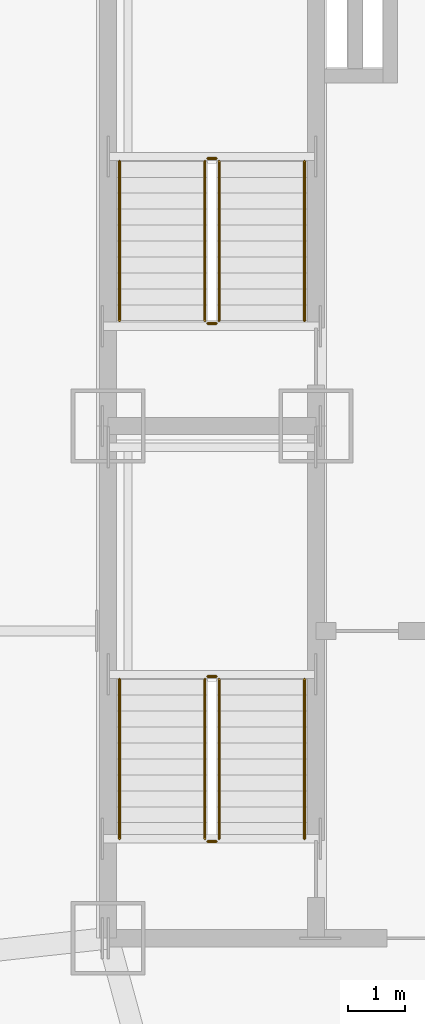
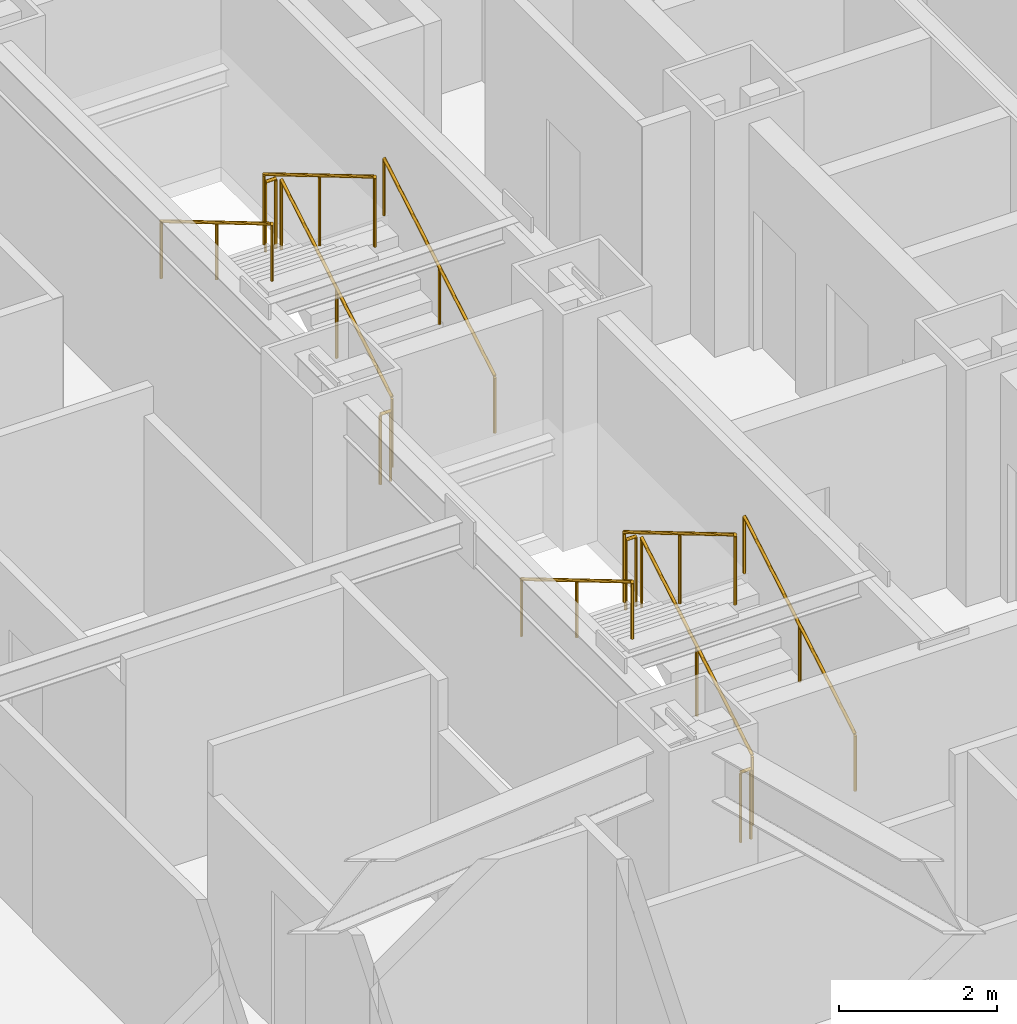
# One storey, part 13 of 13: 12 railings.
"""IFC4 building model written with IfcOpenShell, lengths in metres."""

from ifc_helpers import new_model, si_unit, direction, frame, origin, origin_2d, place, context, subcontext, project, spatial, circle, extrude, material, type_object, element, save


model = new_model("IFC4")

# Units and contexts
model_context = context("Model", 3, precision=1e-05, world=origin(), true_north=direction((0.0, 1.0)))
body_context = subcontext(model_context, "Body", "Model", "MODEL_VIEW")
ifc_project = project(units=[si_unit("LENGTHUNIT", "METRE"), si_unit("AREAUNIT", "SQUARE_METRE"), si_unit("VOLUMEUNIT", "CUBIC_METRE"), si_unit("PLANEANGLEUNIT", "RADIAN"), si_unit("MASSUNIT", "GRAM", prefix="KILO")], contexts=[model_context])

# Site, building, storey
site_placement = place(None, origin())
site = spatial("IfcSite", under=ifc_project, at=site_placement, CompositionType="ELEMENT")
building_placement = place(site_placement, origin())
building = spatial("IfcBuilding", under=site, at=building_placement, Name="Khamvora Tower", CompositionType="ELEMENT")
storey_placement = place(building_placement, frame((0.0, 0.0, 62.5)))
storey = spatial("IfcBuildingStorey", under=building, at=storey_placement, Name="L15", CompositionType="ELEMENT", Elevation=62.5)

# Railings
ifc_material_1 = material(Name="Brushed Stainless Steel 316", Category="steel")
railing_type_1 = type_object("IfcRailingType", Name="RAL-HDR-920", PredefinedType="HANDRAIL", material=ifc_material_1)
railing_1_placement = place(storey_placement, frame((32.449951171875, 20.75, 0.166015625)))
element("IfcRailing", 1, at=railing_1_placement, inside=storey, type_object=railing_type_1, Name="L15 ST-01 stair handrail 1", PredefinedType="HANDRAIL", context=body_context, shape_type="SweptSolid", body=[
    extrude(circle(Radius=0.02392578125, at=origin_2d()), frame((0.0, 0.0, 0.8759765625), z_axis=(0.0, 0.860339051648, 0.50972219513), x_axis=(-1.0, 0.0, 0.0)), (0.0, 0.0, 1.0), 3.254638671875),
    extrude(circle(Radius=0.02099609375, at=origin_2d()), origin(), (0.0, 0.0, 1.0), 0.851806640625),
    extrude(circle(Radius=0.02099609375, at=origin_2d()), frame((0.0, 1.39990234375, 0.82958984375)), (0.0, 0.0, 1.0), 0.851806640625),
    extrude(circle(Radius=0.02099609375, at=origin_2d()), frame((0.0, 2.800048828125, 1.658935546875)), (0.0, 0.0, 1.0), 0.851806640625),
])
railing_2_placement = place(storey_placement, frame((29.199951171875, 23.550048828125, 1.990966796875)))
element("IfcRailing", 2, at=railing_2_placement, inside=storey, type_object=railing_type_1, Name="L15 ST-01 stair handrail 2", PredefinedType="HANDRAIL", context=body_context, shape_type="SweptSolid", body=[
    extrude(circle(Radius=0.02392578125, at=origin_2d()), frame((0.0, 0.0, 0.8759765625), z_axis=(0.0, -0.860339051648, 0.50972219513), x_axis=(1.0, 0.0, 0.0)), (0.0, 0.0, 1.0), 3.254638671875),
    extrude(circle(Radius=0.02099609375, at=origin_2d()), origin(), (0.0, 0.0, 1.0), 0.851806640625),
    extrude(circle(Radius=0.02099609375, at=origin_2d()), frame((0.0, -1.39990234375, 0.82958984375)), (0.0, 0.0, 1.0), 0.851806640625),
    extrude(circle(Radius=0.02099609375, at=origin_2d()), frame((0.0, -2.800048828125, 1.658935546875)), (0.0, 0.0, 1.0), 0.851806640625),
])
railing_3_placement = place(storey_placement, frame((32.449951171875, 29.85009765625, 0.166015625)))
element("IfcRailing", 3, at=railing_3_placement, inside=storey, type_object=railing_type_1, Name="L15 ST-02 stair handrail 1", PredefinedType="HANDRAIL", context=body_context, shape_type="SweptSolid", body=[
    extrude(circle(Radius=0.02392578125, at=origin_2d()), frame((0.0, 0.0, 0.8759765625), z_axis=(0.0, 0.860319559791, 0.509755093197), x_axis=(-1.0, 0.0, 0.0)), (0.0, 0.0, 1.0), 3.25439453125),
    extrude(circle(Radius=0.02099609375, at=origin_2d()), origin(), (0.0, 0.0, 1.0), 0.851806640625),
    extrude(circle(Radius=0.02099609375, at=origin_2d()), frame((0.0, 1.39990234375, 0.82958984375)), (0.0, 0.0, 1.0), 0.851806640625),
    extrude(circle(Radius=0.02099609375, at=origin_2d()), frame((0.0, 2.7998046875, 1.658935546875)), (0.0, 0.0, 1.0), 0.851806640625),
])
railing_4_placement = place(storey_placement, frame((29.199951171875, 32.64990234375, 1.990966796875)))
element("IfcRailing", 4, at=railing_4_placement, inside=storey, type_object=railing_type_1, Name="L15 ST-02 stair handrail 2", PredefinedType="HANDRAIL", context=body_context, shape_type="SweptSolid", body=[
    extrude(circle(Radius=0.02392578125, at=origin_2d()), frame((0.0, 0.0, 0.8759765625), z_axis=(0.0, -0.860319559791, 0.509755093197), x_axis=(1.0, 0.0, 0.0)), (0.0, 0.0, 1.0), 3.25439453125),
    extrude(circle(Radius=0.02099609375, at=origin_2d()), origin(), (0.0, 0.0, 1.0), 0.851806640625),
    extrude(circle(Radius=0.02099609375, at=origin_2d()), frame((0.0, -1.39990234375, 0.82958984375)), (0.0, 0.0, 1.0), 0.851806640625),
    extrude(circle(Radius=0.02099609375, at=origin_2d()), frame((0.0, -2.7998046875, 1.658935546875)), (0.0, 0.0, 1.0), 0.851806640625),
])
ifc_material_2 = material(Name="Stainless Steel 316", Category="steel")
railing_type_2 = type_object("IfcRailingType", Name="RAL-STG-1100", PredefinedType="GUARDRAIL", material=ifc_material_2)
railing_5_placement = place(storey_placement, frame((30.949951171875, 20.75, 0.166015625)))
element("IfcRailing", 5, at=railing_5_placement, inside=storey, type_object=railing_type_2, Name="L15 ST-01 stair guard 1", PredefinedType="GUARDRAIL", context=body_context, shape_type="SweptSolid", body=[
    extrude(circle(Radius=0.02392578125, at=origin_2d()), frame((0.0, 0.0, 1.076171875), z_axis=(0.0, 0.860339051648, 0.50972219513), x_axis=(-1.0, 0.0, 0.0)), (0.0, 0.0, 1.0), 3.254638671875),
    extrude(circle(Radius=0.02099609375, at=origin_2d()), origin(), (0.0, 0.0, 1.0), 1.052001953125),
    extrude(circle(Radius=0.02099609375, at=origin_2d()), frame((0.0, 1.39990234375, 0.82958984375)), (0.0, 0.0, 1.0), 1.052001953125),
    extrude(circle(Radius=0.02099609375, at=origin_2d()), frame((0.0, 2.800048828125, 1.658935546875)), (0.0, 0.0, 1.0), 1.052001953125),
])
railing_6_placement = place(storey_placement, frame((30.89990234375, 23.60009765625, 1.824951171875)))
element("IfcRailing", 6, at=railing_6_placement, inside=storey, type_object=railing_type_2, Name="L15 ST-01 stair guard 2", PredefinedType="GUARDRAIL", context=body_context, shape_type="SweptSolid", body=[
    extrude(circle(Radius=0.02392578125, at=origin_2d()), frame((0.0, 0.0, 1.076171875), z_axis=(-1.0, 0.0, 0.0), x_axis=(0.0, -1.0, 0.0)), (0.0, 0.0, 1.0), 0.14990234375),
    extrude(circle(Radius=0.02099609375, at=origin_2d()), origin(), (0.0, 0.0, 1.0), 1.052001953125),
    extrude(circle(Radius=0.02099609375, at=origin_2d()), frame((-0.14990234375, 0.0, 0.0)), (0.0, 0.0, 1.0), 1.052001953125),
])
railing_7_placement = place(storey_placement, frame((30.699951171875, 23.550048828125, 1.990966796875)))
element("IfcRailing", 7, at=railing_7_placement, inside=storey, type_object=railing_type_2, Name="L15 ST-01 stair guard 3", PredefinedType="GUARDRAIL", context=body_context, shape_type="SweptSolid", body=[
    extrude(circle(Radius=0.02392578125, at=origin_2d()), frame((0.0, 0.0, 1.076171875), z_axis=(0.0, -0.860339051648, 0.50972219513), x_axis=(1.0, 0.0, 0.0)), (0.0, 0.0, 1.0), 3.254638671875),
    extrude(circle(Radius=0.02099609375, at=origin_2d()), origin(), (0.0, 0.0, 1.0), 1.052001953125),
    extrude(circle(Radius=0.02099609375, at=origin_2d()), frame((0.0, -1.39990234375, 0.82958984375)), (0.0, 0.0, 1.0), 1.052001953125),
    extrude(circle(Radius=0.02099609375, at=origin_2d()), frame((0.0, -2.800048828125, 1.658935546875)), (0.0, 0.0, 1.0), 1.052001953125),
])
railing_8_placement = place(storey_placement, frame((30.89990234375, 20.699951171875, 0.0)))
element("IfcRailing", 8, at=railing_8_placement, inside=storey, type_object=railing_type_2, Name="L15 ST-01 stair guard 4", PredefinedType="GUARDRAIL", context=body_context, shape_type="SweptSolid", body=[
    extrude(circle(Radius=0.02392578125, at=origin_2d()), frame((0.0, 0.0, 1.076171875), z_axis=(-1.0, 0.0, 0.0), x_axis=(0.0, -1.0, 0.0)), (0.0, 0.0, 1.0), 0.14990234375),
    extrude(circle(Radius=0.02099609375, at=origin_2d()), origin(), (0.0, 0.0, 1.0), 1.052001953125),
    extrude(circle(Radius=0.02099609375, at=origin_2d()), frame((-0.14990234375, 0.0, 0.0)), (0.0, 0.0, 1.0), 1.052001953125),
])
railing_9_placement = place(storey_placement, frame((30.949951171875, 29.85009765625, 0.166015625)))
element("IfcRailing", 9, at=railing_9_placement, inside=storey, type_object=railing_type_2, Name="L15 ST-02 stair guard 1", PredefinedType="GUARDRAIL", context=body_context, shape_type="SweptSolid", body=[
    extrude(circle(Radius=0.02392578125, at=origin_2d()), frame((0.0, 0.0, 1.076171875), z_axis=(0.0, 0.860319559791, 0.509755093197), x_axis=(-1.0, 0.0, 0.0)), (0.0, 0.0, 1.0), 3.25439453125),
    extrude(circle(Radius=0.02099609375, at=origin_2d()), origin(), (0.0, 0.0, 1.0), 1.052001953125),
    extrude(circle(Radius=0.02099609375, at=origin_2d()), frame((0.0, 1.39990234375, 0.82958984375)), (0.0, 0.0, 1.0), 1.052001953125),
    extrude(circle(Radius=0.02099609375, at=origin_2d()), frame((0.0, 2.7998046875, 1.658935546875)), (0.0, 0.0, 1.0), 1.052001953125),
])
railing_10_placement = place(storey_placement, frame((30.89990234375, 32.699951171875, 1.824951171875)))
element("IfcRailing", 10, at=railing_10_placement, inside=storey, type_object=railing_type_2, Name="L15 ST-02 stair guard 2", PredefinedType="GUARDRAIL", context=body_context, shape_type="SweptSolid", body=[
    extrude(circle(Radius=0.02392578125, at=origin_2d()), frame((0.0, 0.0, 1.076171875), z_axis=(-1.0, 0.0, 0.0), x_axis=(0.0, -1.0, 0.0)), (0.0, 0.0, 1.0), 0.14990234375),
    extrude(circle(Radius=0.02099609375, at=origin_2d()), origin(), (0.0, 0.0, 1.0), 1.052001953125),
    extrude(circle(Radius=0.02099609375, at=origin_2d()), frame((-0.14990234375, 0.0, 0.0)), (0.0, 0.0, 1.0), 1.052001953125),
])
railing_11_placement = place(storey_placement, frame((30.699951171875, 32.64990234375, 1.990966796875)))
element("IfcRailing", 11, at=railing_11_placement, inside=storey, type_object=railing_type_2, Name="L15 ST-02 stair guard 3", PredefinedType="GUARDRAIL", context=body_context, shape_type="SweptSolid", body=[
    extrude(circle(Radius=0.02392578125, at=origin_2d()), frame((0.0, 0.0, 1.076171875), z_axis=(0.0, -0.860319559791, 0.509755093197), x_axis=(1.0, 0.0, 0.0)), (0.0, 0.0, 1.0), 3.25439453125),
    extrude(circle(Radius=0.02099609375, at=origin_2d()), origin(), (0.0, 0.0, 1.0), 1.052001953125),
    extrude(circle(Radius=0.02099609375, at=origin_2d()), frame((0.0, -1.39990234375, 0.82958984375)), (0.0, 0.0, 1.0), 1.052001953125),
    extrude(circle(Radius=0.02099609375, at=origin_2d()), frame((0.0, -2.7998046875, 1.658935546875)), (0.0, 0.0, 1.0), 1.052001953125),
])
railing_12_placement = place(storey_placement, frame((30.89990234375, 29.800048828125, 0.0)))
element("IfcRailing", 12, at=railing_12_placement, inside=storey, type_object=railing_type_2, Name="L15 ST-02 stair guard 4", PredefinedType="GUARDRAIL", context=body_context, shape_type="SweptSolid", body=[
    extrude(circle(Radius=0.02392578125, at=origin_2d()), frame((0.0, 0.0, 1.076171875), z_axis=(-1.0, 0.0, 0.0), x_axis=(0.0, -1.0, 0.0)), (0.0, 0.0, 1.0), 0.14990234375),
    extrude(circle(Radius=0.02099609375, at=origin_2d()), origin(), (0.0, 0.0, 1.0), 1.052001953125),
    extrude(circle(Radius=0.02099609375, at=origin_2d()), frame((-0.14990234375, 0.0, 0.0)), (0.0, 0.0, 1.0), 1.052001953125),
])

save(model, "model.ifc")
